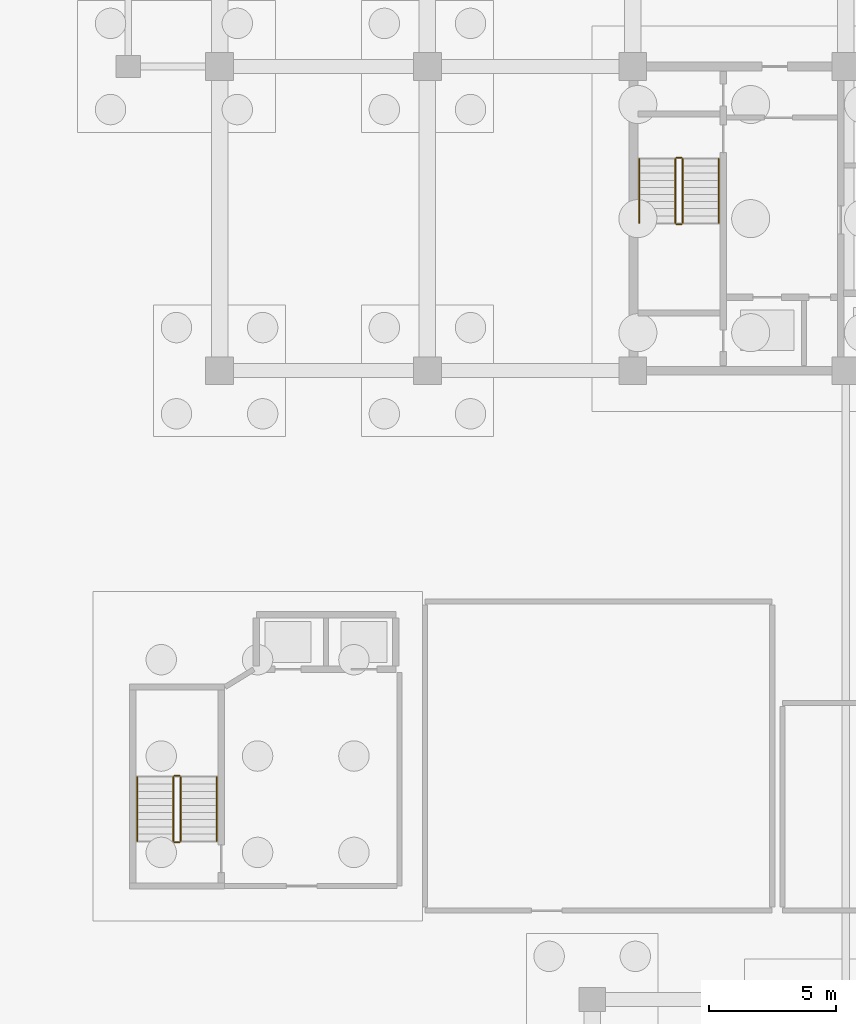
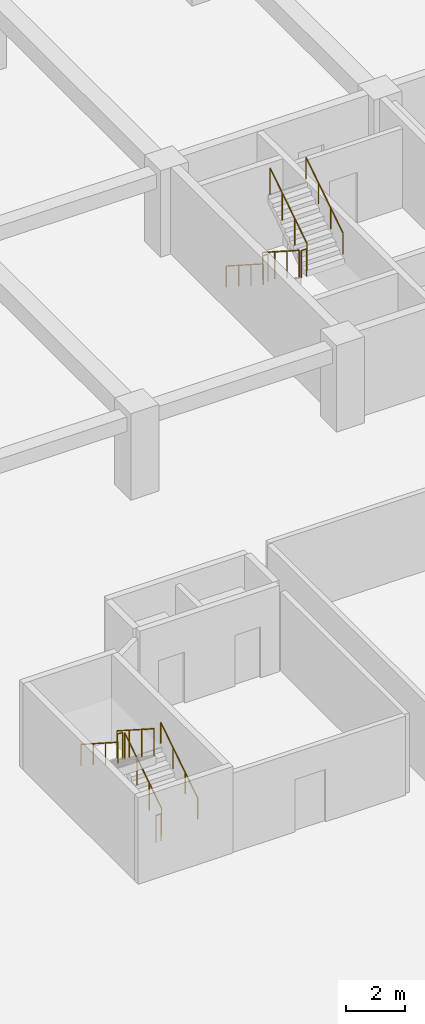
# One storey, part 22 of 26: 12 railings.
"""IFC4 building model written with IfcOpenShell, lengths in metres."""

from ifc_helpers import new_model, si_unit, direction, frame, origin, origin_2d, place, context, subcontext, project, spatial, circle, extrude, material, type_object, element, save


model = new_model("IFC4")

# Units and contexts
model_context = context("Model", 3, precision=1e-05, world=origin(), true_north=direction((0.0, 1.0)))
body_context = subcontext(model_context, "Body", "Model", "MODEL_VIEW")
ifc_project = project(units=[si_unit("LENGTHUNIT", "METRE"), si_unit("AREAUNIT", "SQUARE_METRE"), si_unit("VOLUMEUNIT", "CUBIC_METRE"), si_unit("PLANEANGLEUNIT", "RADIAN"), si_unit("MASSUNIT", "GRAM", prefix="KILO")], contexts=[model_context])

# Site, building, storey
site_placement = place(None, origin())
site = spatial("IfcSite", under=ifc_project, at=site_placement, CompositionType="ELEMENT")
building_placement = place(site_placement, origin())
building = spatial("IfcBuilding", under=site, at=building_placement, Name="Korimba Cascade Residences", CompositionType="ELEMENT")
storey_placement = place(building_placement, frame((0.0, 0.0, -10.800048828125)))
storey = spatial("IfcBuildingStorey", under=building, at=storey_placement, Name="B03", CompositionType="ELEMENT", Elevation=-10.800048828125)

# Railings
ifc_material_1 = material(Name="Painted Steel Stairwell Guardrail", Category="steel")
railing_type_1 = type_object("IfcRailingType", Name="RLG-ST-GD1150", PredefinedType="GUARDRAIL", material=ifc_material_1)
railing_1_placement = place(storey_placement, frame((77.77001953125, 63.550048828125, 0.179931640625)))
element("IfcRailing", 1, at=railing_1_placement, inside=storey, type_object=railing_type_1, Name="B03 ST-W1 stair guard 1", PredefinedType="GUARDRAIL", context=body_context, shape_type="SweptSolid", body=[
    extrude(circle(Radius=0.02392578125, at=origin_2d()), frame((0.0, 0.0, 1.1259765625), z_axis=(0.0, -0.841162588446, 0.540782303519), x_axis=(1.0, 0.0, 0.0)), (0.0, 0.0, 1.0), 2.995849609375),
    extrude(circle(Radius=0.02099609375, at=origin_2d()), origin(), (0.0, 0.0, 1.0), 1.101806640625),
    extrude(circle(Radius=0.02099609375, at=origin_2d()), frame((0.0, -0.840087890625, 0.5400390625)), (0.0, 0.0, 1.0), 1.101806640625),
    extrude(circle(Radius=0.02099609375, at=origin_2d()), frame((0.0, -1.679931640625, 1.080078125)), (0.0, 0.0, 1.0), 1.101806640625),
    extrude(circle(Radius=0.02099609375, at=origin_2d()), frame((0.0, -2.52001953125, 1.6201171875)), (0.0, 0.0, 1.0), 1.101806640625),
])
railing_2_placement = place(storey_placement, frame((77.820068359375, 60.97998046875, 1.800048828125)))
element("IfcRailing", 2, at=railing_2_placement, inside=storey, type_object=railing_type_1, Name="B03 ST-W1 stair guard 2", PredefinedType="GUARDRAIL", context=body_context, shape_type="SweptSolid", body=[
    extrude(circle(Radius=0.02392578125, at=origin_2d()), frame((0.0, 0.0, 1.1259765625), z_axis=(1.0, 0.0, 0.0), x_axis=(0.0, 1.0, 0.0)), (0.0, 0.0, 1.0), 0.199951171875),
    extrude(circle(Radius=0.02099609375, at=origin_2d()), origin(), (0.0, 0.0, 1.0), 1.101806640625),
    extrude(circle(Radius=0.02099609375, at=origin_2d()), frame((0.199951171875, 0.0, 0.0)), (0.0, 0.0, 1.0), 1.101806640625),
])
railing_3_placement = place(storey_placement, frame((78.070068359375, 61.030029296875, 1.97998046875)))
element("IfcRailing", 3, at=railing_3_placement, inside=storey, type_object=railing_type_1, Name="B03 ST-W1 stair guard 3", PredefinedType="GUARDRAIL", context=body_context, shape_type="SweptSolid", body=[
    extrude(circle(Radius=0.02392578125, at=origin_2d()), frame((0.0, 0.0, 1.1259765625), z_axis=(0.0, 0.841162588446, 0.540782303519), x_axis=(-1.0, 0.0, 0.0)), (0.0, 0.0, 1.0), 2.995849609375),
    extrude(circle(Radius=0.02099609375, at=origin_2d()), origin(), (0.0, 0.0, 1.0), 1.101806640625),
    extrude(circle(Radius=0.02099609375, at=origin_2d()), frame((0.0, 0.840087890625, 0.5400390625)), (0.0, 0.0, 1.0), 1.101806640625),
    extrude(circle(Radius=0.02099609375, at=origin_2d()), frame((0.0, 1.679931640625, 1.080078125)), (0.0, 0.0, 1.0), 1.101806640625),
    extrude(circle(Radius=0.02099609375, at=origin_2d()), frame((0.0, 2.52001953125, 1.6201171875)), (0.0, 0.0, 1.0), 1.101806640625),
])
railing_4_placement = place(storey_placement, frame((77.820068359375, 63.60009765625, 0.0)))
element("IfcRailing", 4, at=railing_4_placement, inside=storey, type_object=railing_type_1, Name="B03 ST-W1 stair guard 4", PredefinedType="GUARDRAIL", context=body_context, shape_type="SweptSolid", body=[
    extrude(circle(Radius=0.02392578125, at=origin_2d()), frame((0.0, 0.0, 1.1259765625), z_axis=(1.0, 0.0, 0.0), x_axis=(0.0, 1.0, 0.0)), (0.0, 0.0, 1.0), 0.199951171875),
    extrude(circle(Radius=0.02099609375, at=origin_2d()), origin(), (0.0, 0.0, 1.0), 1.101806640625),
    extrude(circle(Radius=0.02099609375, at=origin_2d()), frame((0.199951171875, 0.0, 0.0)), (0.0, 0.0, 1.0), 1.101806640625),
])
railing_5_placement = place(storey_placement, frame((58.27001953125, 36.64990234375, 0.179931640625)))
element("IfcRailing", 5, at=railing_5_placement, inside=storey, type_object=railing_type_1, Name="B03 ST-P1 stair guard 1", PredefinedType="GUARDRAIL", context=body_context, shape_type="SweptSolid", body=[
    extrude(circle(Radius=0.02392578125, at=origin_2d()), frame((0.0, 0.0, 1.1259765625), z_axis=(0.0, 0.841162588446, 0.540782303519), x_axis=(-1.0, 0.0, 0.0)), (0.0, 0.0, 1.0), 2.995849609375),
    extrude(circle(Radius=0.02099609375, at=origin_2d()), origin(), (0.0, 0.0, 1.0), 1.101806640625),
    extrude(circle(Radius=0.02099609375, at=origin_2d()), frame((0.0, 0.840087890625, 0.5400390625)), (0.0, 0.0, 1.0), 1.101806640625),
    extrude(circle(Radius=0.02099609375, at=origin_2d()), frame((0.0, 1.679931640625, 1.080078125)), (0.0, 0.0, 1.0), 1.101806640625),
    extrude(circle(Radius=0.02099609375, at=origin_2d()), frame((0.0, 2.52001953125, 1.6201171875)), (0.0, 0.0, 1.0), 1.101806640625),
])
railing_6_placement = place(storey_placement, frame((58.219970703125, 39.219970703125, 1.800048828125)))
element("IfcRailing", 6, at=railing_6_placement, inside=storey, type_object=railing_type_1, Name="B03 ST-P1 stair guard 2", PredefinedType="GUARDRAIL", context=body_context, shape_type="SweptSolid", body=[
    extrude(circle(Radius=0.02392578125, at=origin_2d()), frame((0.0, 0.0, 1.1259765625), z_axis=(-1.0, 0.0, 0.0), x_axis=(0.0, -1.0, 0.0)), (0.0, 0.0, 1.0), 0.199951171875),
    extrude(circle(Radius=0.02099609375, at=origin_2d()), origin(), (0.0, 0.0, 1.0), 1.101806640625),
    extrude(circle(Radius=0.02099609375, at=origin_2d()), frame((-0.199951171875, 0.0, 0.0)), (0.0, 0.0, 1.0), 1.101806640625),
])
railing_7_placement = place(storey_placement, frame((57.969970703125, 39.169921875, 1.97998046875)))
element("IfcRailing", 7, at=railing_7_placement, inside=storey, type_object=railing_type_1, Name="B03 ST-P1 stair guard 3", PredefinedType="GUARDRAIL", context=body_context, shape_type="SweptSolid", body=[
    extrude(circle(Radius=0.02392578125, at=origin_2d()), frame((0.0, 0.0, 1.1259765625), z_axis=(0.0, -0.841162588446, 0.540782303519), x_axis=(1.0, 0.0, 0.0)), (0.0, 0.0, 1.0), 2.995849609375),
    extrude(circle(Radius=0.02099609375, at=origin_2d()), origin(), (0.0, 0.0, 1.0), 1.101806640625),
    extrude(circle(Radius=0.02099609375, at=origin_2d()), frame((0.0, -0.840087890625, 0.5400390625)), (0.0, 0.0, 1.0), 1.101806640625),
    extrude(circle(Radius=0.02099609375, at=origin_2d()), frame((0.0, -1.679931640625, 1.080078125)), (0.0, 0.0, 1.0), 1.101806640625),
    extrude(circle(Radius=0.02099609375, at=origin_2d()), frame((0.0, -2.52001953125, 1.6201171875)), (0.0, 0.0, 1.0), 1.101806640625),
])
railing_8_placement = place(storey_placement, frame((58.219970703125, 36.60009765625, 0.0)))
element("IfcRailing", 8, at=railing_8_placement, inside=storey, type_object=railing_type_1, Name="B03 ST-P1 stair guard 4", PredefinedType="GUARDRAIL", context=body_context, shape_type="SweptSolid", body=[
    extrude(circle(Radius=0.02392578125, at=origin_2d()), frame((0.0, 0.0, 1.1259765625), z_axis=(-1.0, 0.0, 0.0), x_axis=(0.0, -1.0, 0.0)), (0.0, 0.0, 1.0), 0.199951171875),
    extrude(circle(Radius=0.02099609375, at=origin_2d()), origin(), (0.0, 0.0, 1.0), 1.101806640625),
    extrude(circle(Radius=0.02099609375, at=origin_2d()), frame((-0.199951171875, 0.0, 0.0)), (0.0, 0.0, 1.0), 1.101806640625),
])
ifc_material_2 = material(Name="Brushed Stainless Steel Handrail", Category="steel")
railing_type_2 = type_object("IfcRailingType", Name="RLG-ST-HR900", PredefinedType="HANDRAIL", material=ifc_material_2)
railing_9_placement = place(storey_placement, frame((76.35009765625, 63.550048828125, 0.36376953125)))
element("IfcRailing", 9, at=railing_9_placement, inside=storey, type_object=railing_type_2, Name="B03 ST-W1 stair handrail 1", PredefinedType="HANDRAIL", context=body_context, shape_type="SweptSolid", body=[
    extrude(circle(Radius=0.02392578125, at=origin_2d()), frame((0.0, 0.0, 0.8759765625), z_axis=(0.0, -0.841162588446, 0.540782303519), x_axis=(1.0, 0.0, 0.0)), (0.0, 0.0, 1.0), 2.995849609375),
    extrude(circle(Radius=0.02099609375, at=origin_2d()), origin(), (0.0, 0.0, 1.0), 0.851806640625),
    extrude(circle(Radius=0.02099609375, at=origin_2d()), frame((0.0, -0.840087890625, 0.5400390625)), (0.0, 0.0, 1.0), 0.851806640625),
    extrude(circle(Radius=0.02099609375, at=origin_2d()), frame((0.0, -1.679931640625, 1.080078125)), (0.0, 0.0, 1.0), 0.851806640625),
    extrude(circle(Radius=0.02099609375, at=origin_2d()), frame((0.0, -2.52001953125, 1.6201171875)), (0.0, 0.0, 1.0), 0.851806640625),
])
for number, where, name in (
    (10, (79.489990234375, 61.030029296875, 2.163818359375), "B03 ST-W1 stair handrail 2"),
    (11, (59.68994140625, 36.64990234375, 0.36376953125), "B03 ST-P1 stair handrail 1"),
):
    element("IfcRailing", number, at=place(storey_placement, frame(where)), inside=storey, type_object=railing_type_2, Name=name, PredefinedType="HANDRAIL", context=body_context, shape_type="SweptSolid", body=[
        extrude(circle(Radius=0.02392578125, at=origin_2d()), frame((0.0, 0.0, 0.8759765625), z_axis=(0.0, 0.841162588446, 0.540782303519), x_axis=(-1.0, 0.0, 0.0)), (0.0, 0.0, 1.0), 2.995849609375),
        extrude(circle(Radius=0.02099609375, at=origin_2d()), origin(), (0.0, 0.0, 1.0), 0.851806640625),
        extrude(circle(Radius=0.02099609375, at=origin_2d()), frame((0.0, 0.840087890625, 0.5400390625)), (0.0, 0.0, 1.0), 0.851806640625),
        extrude(circle(Radius=0.02099609375, at=origin_2d()), frame((0.0, 1.679931640625, 1.080078125)), (0.0, 0.0, 1.0), 0.851806640625),
        extrude(circle(Radius=0.02099609375, at=origin_2d()), frame((0.0, 2.52001953125, 1.6201171875)), (0.0, 0.0, 1.0), 0.851806640625),
    ])
railing_10_placement = place(storey_placement, frame((56.550048828125, 39.169921875, 2.163818359375)))
element("IfcRailing", 12, at=railing_10_placement, inside=storey, type_object=railing_type_2, Name="B03 ST-P1 stair handrail 2", PredefinedType="HANDRAIL", context=body_context, shape_type="SweptSolid", body=[
    extrude(circle(Radius=0.02392578125, at=origin_2d()), frame((0.0, 0.0, 0.8759765625), z_axis=(0.0, -0.841162588446, 0.540782303519), x_axis=(1.0, 0.0, 0.0)), (0.0, 0.0, 1.0), 2.995849609375),
    extrude(circle(Radius=0.02099609375, at=origin_2d()), origin(), (0.0, 0.0, 1.0), 0.851806640625),
    extrude(circle(Radius=0.02099609375, at=origin_2d()), frame((0.0, -0.840087890625, 0.5400390625)), (0.0, 0.0, 1.0), 0.851806640625),
    extrude(circle(Radius=0.02099609375, at=origin_2d()), frame((0.0, -1.679931640625, 1.080078125)), (0.0, 0.0, 1.0), 0.851806640625),
    extrude(circle(Radius=0.02099609375, at=origin_2d()), frame((0.0, -2.52001953125, 1.6201171875)), (0.0, 0.0, 1.0), 0.851806640625),
])

save(model, "model.ifc")
